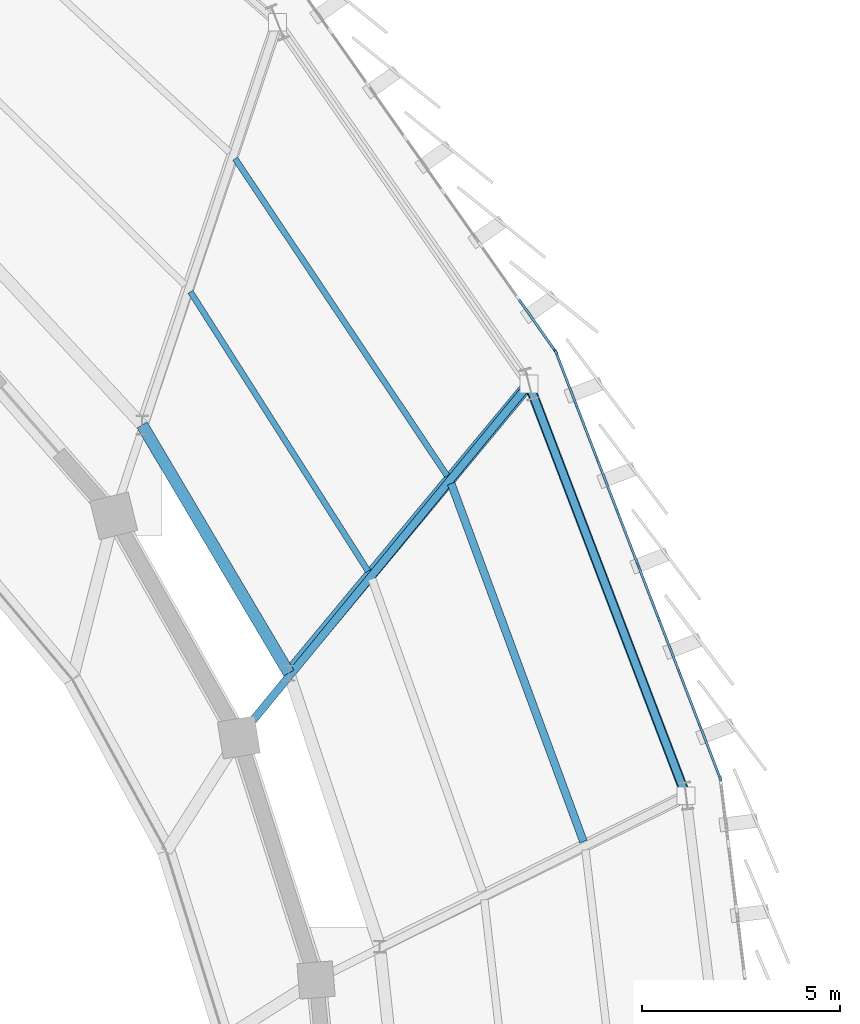
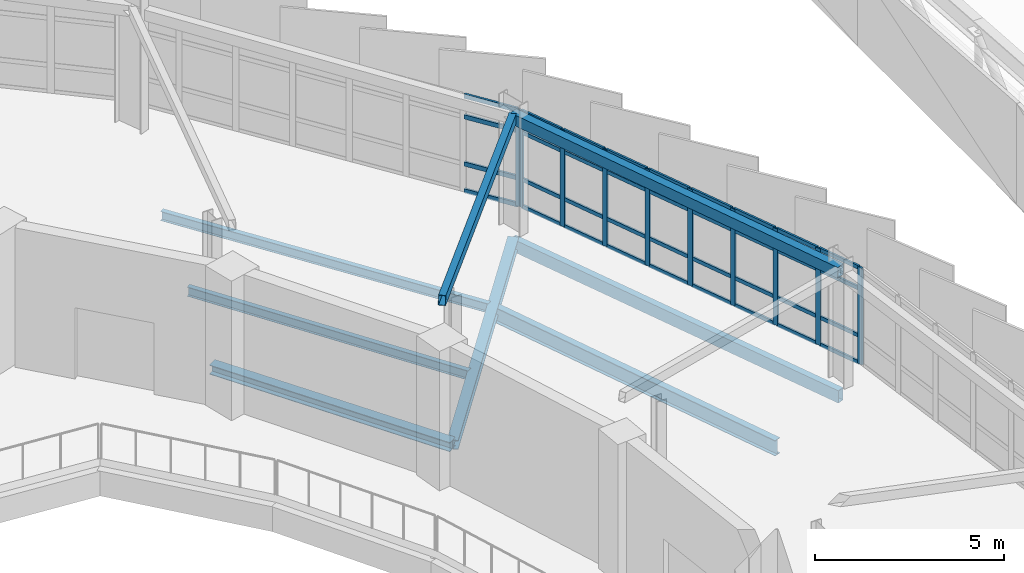
# One storey, part 46 of 87: 48 members, 6 beams, 2 elements without a shape of their own.
"""IFC4 building model written with IfcOpenShell, lengths in metres."""

import ifcopenshell
import ifcopenshell.guid

model = None  # the IFC model being written
_history = None  # IfcOwnerHistory: only IFC2X3 demands one
_inside = {}  # id of a spatial element -> (the spatial element, [elements in it])
_under = {}  # id of a project, library or spatial element -> (it, [spatial elements below it])
_declared = {}  # id of a project -> (the project, [libraries it declares])
_typed = {}  # id of a type object -> (the type object, [elements of that type])
_made_of = {}  # id of a material, layer set ... -> (it, [elements and type objects made of it])


def new_model(schema):
    """Start an empty IFC model of exactly this schema.

    Asked for "IFC4X3", IfcOpenShell would pick the latest addendum, in which some entities
    have other attributes; the version numbers below select the first issue.
    IFC2X3 requires an IfcOwnerHistory on every rooted entity: one is made here for all.
    """
    global model, _history
    if schema == "IFC4X3":
        model = ifcopenshell.file(schema_version=(4, 3, 0, 0))
    else:
        model = ifcopenshell.file(schema=schema)
    _inside.clear()
    _under.clear()
    _declared.clear()
    _typed.clear()
    _made_of.clear()
    _history = None
    if model.schema == "IFC2X3":
        org = make("IfcOrganization", Name="unknown")
        user = make(
            "IfcPersonAndOrganization",
            ThePerson=make("IfcPerson", FamilyName="unknown"),
            TheOrganization=org,
        )
        app = make(
            "IfcApplication",
            ApplicationDeveloper=org,
            Version="unknown",
            ApplicationFullName="unknown",
            ApplicationIdentifier="unknown",
        )
        _history = make(
            "IfcOwnerHistory",
            OwningUser=user,
            OwningApplication=app,
            ChangeAction="ADDED",
            CreationDate=0,
        )
    return model


def make(cls, **values):
    """One entity of the class cls with the attributes given. An attribute that is None is left unset."""
    return model.create_entity(
        cls, **{name: value for name, value in values.items() if value is not None}
    )


def rooted(cls, **values):
    """An entity with a GlobalId (a new one), such as an element, a storey or a relation."""
    return make(cls, GlobalId=ifcopenshell.guid.new(), OwnerHistory=_history, **values)


def si_unit(unit_type, name, prefix=None):
    """IfcSIUnit, for example si_unit("LENGTHUNIT", "METRE", prefix="MILLI")."""
    return make("IfcSIUnit", UnitType=unit_type, Prefix=prefix, Name=name)


def assignment(units):
    """IfcUnitAssignment: the units of a project."""
    return None if units is None else make("IfcUnitAssignment", Units=units)


def point(xyz):
    """IfcCartesianPoint."""
    return None if xyz is None else make("IfcCartesianPoint", Coordinates=xyz)


def direction(xyz):
    """IfcDirection."""
    return None if xyz is None else make("IfcDirection", DirectionRatios=xyz)


def frame(location, z_axis=None, x_axis=None):
    """IfcAxis2Placement3D, a coordinate frame: its origin and axes. An axis left out is left unset."""
    return make(
        "IfcAxis2Placement3D",
        Location=point(location),
        Axis=direction(z_axis),
        RefDirection=direction(x_axis),
    )


def frame_2d(location, x_axis=None):
    """IfcAxis2Placement2D, a coordinate frame in the plane: its origin and x axis."""
    return make(
        "IfcAxis2Placement2D", Location=point(location), RefDirection=direction(x_axis)
    )


def origin():
    """The frame at (0, 0, 0) with its axes left unset."""
    return frame((0.0, 0.0, 0.0))


def origin_2d():
    """The frame at (0, 0) in the plane with its x axis left unset."""
    return frame_2d((0.0, 0.0))


def place(relative_to, where):
    """IfcLocalPlacement: puts the frame where relative to a parent placement (None: the world)."""
    return make(
        "IfcLocalPlacement", PlacementRelTo=relative_to, RelativePlacement=where
    )


def context(
    kind, dimensions, precision=None, world=None, true_north=None, identifier=None
):
    """IfcGeometricRepresentationContext, for example the 3D "Model" context."""
    return make(
        "IfcGeometricRepresentationContext",
        ContextIdentifier=identifier,
        ContextType=kind,
        CoordinateSpaceDimension=dimensions,
        Precision=precision,
        WorldCoordinateSystem=world,
        TrueNorth=true_north,
    )


def subcontext(parent, identifier, kind, view, scale=None):
    """IfcGeometricRepresentationSubContext, for example "Body" below "Model"."""
    return make(
        "IfcGeometricRepresentationSubContext",
        ContextIdentifier=identifier,
        ContextType=kind,
        ParentContext=parent,
        TargetScale=scale,
        TargetView=view,
    )


def project(units=None, contexts=None):
    """IfcProject with its units and contexts."""
    return rooted(
        "IfcProject",
        Name="project",
        RepresentationContexts=contexts,
        UnitsInContext=assignment(units),
    )


def spatial(cls, under=None, at=None, **own):
    """A site, building, storey or space (cls), placed at a placement, below another one or the project."""
    s = rooted(cls, ObjectPlacement=at, **own)
    if under is not None:
        _under.setdefault(under.id(), (under, []))[1].append(s)
    return s


def profile(cls, at=None, kind="AREA", **sizes):
    """A parametric profile (cls). Its sizes go by their IFC names, for example OverallWidth=200.0."""
    return make(cls, ProfileType=kind, Position=at, **sizes)


def rectangle(**sizes):
    """IfcRectangleProfileDef."""
    return profile("IfcRectangleProfileDef", **sizes)


def hollow_rectangle(**sizes):
    """IfcRectangleHollowProfileDef."""
    return profile("IfcRectangleHollowProfileDef", **sizes)


def i_section(**sizes):
    """IfcIShapeProfileDef."""
    return profile("IfcIShapeProfileDef", **sizes)


def extrude(swept, where, along, depth):
    """IfcExtrudedAreaSolid: the profile swept, set in the frame where, extruded along a direction by depth."""
    return make(
        "IfcExtrudedAreaSolid",
        SweptArea=swept,
        Position=where,
        ExtrudedDirection=direction(along),
        Depth=depth,
    )


def shape(context_of_items, identifier, shape_type, items):
    """IfcShapeRepresentation: the items that make up one representation, for example the "Body"."""
    return make(
        "IfcShapeRepresentation",
        ContextOfItems=context_of_items,
        RepresentationIdentifier=identifier,
        RepresentationType=shape_type,
        Items=items,
    )


def material(Name=None, Category=None):
    """IfcMaterial."""
    return make("IfcMaterial", Name=Name, Category=Category)


def layer(
    of_material, thickness, ventilated=None, Name=None, Category=None, Priority=None
):
    """IfcMaterialLayer: one layer of a wall or slab, of a material (None: an air gap)."""
    return make(
        "IfcMaterialLayer",
        Material=of_material,
        LayerThickness=thickness,
        IsVentilated=ventilated,
        Name=Name,
        Category=Category,
        Priority=Priority,
    )


def layer_set(layers, Name=None):
    """IfcMaterialLayerSet."""
    return make("IfcMaterialLayerSet", MaterialLayers=layers, LayerSetName=Name)


def material_profile(
    of_material, cross_section, Name=None, Category=None, Priority=None
):
    """IfcMaterialProfile: a cross section and its material."""
    return make(
        "IfcMaterialProfile",
        Name=Name,
        Material=of_material,
        Profile=cross_section,
        Priority=Priority,
        Category=Category,
    )


def profile_set(profiles, Name=None, composite=None):
    """IfcMaterialProfileSet."""
    return make(
        "IfcMaterialProfileSet",
        Name=Name,
        MaterialProfiles=profiles,
        CompositeProfile=composite,
    )


def made_of(thing, what):
    """Note that an element or type object is made of a material, layer set ...; save() writes the relation."""
    if what is not None:
        _made_of.setdefault(what.id(), (what, []))[1].append(thing)
    return thing


def type_object(cls, material=None, **own):
    """A type object (cls), such as IfcWallType, which elements share."""
    return made_of(rooted(cls, **own), material)


def element(
    cls,
    number,
    at=None,
    inside=None,
    cuts=None,
    type_object=None,
    material=None,
    context=None,
    identifier="Body",
    shape_type=None,
    held_by="IfcProductDefinitionShape",
    body=None,
    shapes=None,
    **own,
):
    """One element of the class cls, such as IfcWall. Its Tag is "e" and its number.

    at: its placement. inside: the storey or other place that contains it. cuts: it is an
    opening in that element (IfcRelVoidsElement). A single representation is given by context,
    identifier, shape_type and body (its items); several are given by shapes. held_by: the class
    of the entity that holds the representations. save() writes the other relations.
    """
    e = rooted(cls, Tag="e%d" % number, ObjectPlacement=at, **own)
    if body is not None:
        shapes = [shape(context, identifier, shape_type, body)]
    if shapes is not None:
        e.Representation = make(held_by, Representations=shapes)
    if inside is not None:
        _inside.setdefault(inside.id(), (inside, []))[1].append(e)
    if cuts is not None:
        rooted(
            "IfcRelVoidsElement", RelatingBuildingElement=cuts, RelatedOpeningElement=e
        )
    if type_object is not None:
        _typed.setdefault(type_object.id(), (type_object, []))[1].append(e)
    return made_of(e, material)


def aggregate(whole, parts):
    """IfcRelAggregates: a whole, such as a stair, and the parts it consists of."""
    return rooted("IfcRelAggregates", RelatingObject=whole, RelatedObjects=parts)


def save(model, path):
    """Write the relations noted so far, then the file.

    IfcRelAggregates (storeys below a building ...), IfcRelContainedInSpatialStructure (elements
    in a storey), IfcRelDefinesByType, IfcRelAssociatesMaterial and IfcRelDeclares: one each for
    every whole, place, type object, material and project.
    """
    for whole, parts in _under.values():
        aggregate(whole, parts)
    for where, things in _inside.values():
        rooted(
            "IfcRelContainedInSpatialStructure",
            RelatedElements=things,
            RelatingStructure=where,
        )
    for kind, things in _typed.values():
        rooted("IfcRelDefinesByType", RelatedObjects=things, RelatingType=kind)
    for what, things in _made_of.values():
        rooted("IfcRelAssociatesMaterial", RelatedObjects=things, RelatingMaterial=what)
    for by, libraries in _declared.values():
        rooted("IfcRelDeclares", RelatingContext=by, RelatedDefinitions=libraries)
    model.write(path)


model = new_model("IFC4")

# Units and contexts
model_context = context("Model", 3, precision=1e-05, world=origin(), true_north=direction((0.0, 1.0)))
body_context = subcontext(model_context, "Body", "Model", "MODEL_VIEW")
ifc_project = project(units=[si_unit("LENGTHUNIT", "METRE"), si_unit("AREAUNIT", "SQUARE_METRE"), si_unit("VOLUMEUNIT", "CUBIC_METRE"), si_unit("PLANEANGLEUNIT", "RADIAN"), si_unit("MASSUNIT", "GRAM", prefix="KILO")], contexts=[model_context])

# Site, building, storey
site_placement = place(None, origin())
site = spatial("IfcSite", under=ifc_project, at=site_placement, CompositionType="ELEMENT")
building_placement = place(site_placement, origin())
building = spatial("IfcBuilding", under=site, at=building_placement, Name="Sohan Crest Arena", CompositionType="ELEMENT")
storey_placement = place(building_placement, frame((0.0, 0.0, 18.0)))
storey = spatial("IfcBuildingStorey", under=building, at=storey_placement, Name="L04", CompositionType="ELEMENT", Elevation=18.0)

# Curtain wall, members
ifc_material_1 = material(Name="Thermally broken anodised aluminium", Category="aluminium")
ifc_layer_1 = layer(ifc_material_1, 0.179931640625, Name="Thermally broken anodised aluminium")
ifc_layer_set_1 = layer_set([ifc_layer_1], Name="Thermally broken anodised aluminium")
curtain_wall_type_1 = type_object("IfcCurtainWallType", Name="ARC-CW01", PredefinedType="NOTDEFINED", material=ifc_layer_set_1)
curtain_wall_1_placement = place(storey_placement, origin())
curtain_wall_1 = element("IfcCurtainWall", 1, at=curtain_wall_1_placement, inside=storey, type_object=curtain_wall_type_1, Name="Unitised curtain wall CW-136", PredefinedType="NOTDEFINED")
ifc_material_profile_1 = material_profile(ifc_material_1, rectangle(XDim=0.06005859375, YDim=0.159912109375, at=origin_2d()), Name="ALU-MULL 60x160")
ifc_profile_set_1 = profile_set([ifc_material_profile_1], Name="Thermally broken anodised aluminium")
member_type_1 = type_object("IfcMemberType", Name="ARC-CW-ML01", PredefinedType="MULLION", material=ifc_profile_set_1)
member_1_placement = place(storey_placement, frame((187.586181640625, 89.52392578125, 0.0), z_axis=(0.0, 0.0, 1.0), x_axis=(-0.933093964969, -0.359632663337, 0.0)))
member_1 = element("IfcMember", 2, at=member_1_placement, type_object=member_type_1, Name="CW-136 mullion 1", PredefinedType="MULLION", context=body_context, shape_type="SweptSolid", body=[
    extrude(rectangle(XDim=0.06005859375, YDim=0.159912109375, at=origin_2d()), origin(), (0.0, 0.0, 1.0), 3.1201171875),
])
member_2_placement = place(storey_placement, frame((187.076171875, 90.84716796875, 0.0), z_axis=(0.0, 0.0, 1.0), x_axis=(-0.933093964969, -0.359632663337, 0.0)))
member_2 = element("IfcMember", 3, at=member_2_placement, type_object=member_type_1, Name="CW-136 mullion 2", PredefinedType="MULLION", context=body_context, shape_type="SweptSolid", body=[
    extrude(rectangle(XDim=0.06005859375, YDim=0.159912109375, at=origin_2d()), origin(), (0.0, 0.0, 1.0), 3.1201171875),
])
member_3_placement = place(storey_placement, frame((186.555419921875, 92.1982421875, 0.0), z_axis=(0.0, 0.0, 1.0), x_axis=(-0.933093964969, -0.359632663337, 0.0)))
member_3 = element("IfcMember", 4, at=member_3_placement, type_object=member_type_1, Name="CW-136 mullion 3", PredefinedType="MULLION", context=body_context, shape_type="SweptSolid", body=[
    extrude(rectangle(XDim=0.06005859375, YDim=0.159912109375, at=origin_2d()), origin(), (0.0, 0.0, 1.0), 3.1201171875),
])
member_4_placement = place(storey_placement, frame((186.03466796875, 93.54931640625, 0.0), z_axis=(0.0, 0.0, 1.0), x_axis=(-0.933093964969, -0.359632663337, 0.0)))
member_4 = element("IfcMember", 5, at=member_4_placement, type_object=member_type_1, Name="CW-136 mullion 4", PredefinedType="MULLION", context=body_context, shape_type="SweptSolid", body=[
    extrude(rectangle(XDim=0.06005859375, YDim=0.159912109375, at=origin_2d()), origin(), (0.0, 0.0, 1.0), 3.1201171875),
])
member_5_placement = place(storey_placement, frame((185.513916015625, 94.900390625, 0.0), z_axis=(0.0, 0.0, 1.0), x_axis=(-0.933093964969, -0.359632663337, 0.0)))
member_5 = element("IfcMember", 6, at=member_5_placement, type_object=member_type_1, Name="CW-136 mullion 5", PredefinedType="MULLION", context=body_context, shape_type="SweptSolid", body=[
    extrude(rectangle(XDim=0.06005859375, YDim=0.159912109375, at=origin_2d()), origin(), (0.0, 0.0, 1.0), 3.1201171875),
])
member_6_placement = place(storey_placement, frame((184.9931640625, 96.251708984375, 0.0), z_axis=(0.0, 0.0, 1.0), x_axis=(-0.933093964969, -0.359632663337, 0.0)))
member_6 = element("IfcMember", 7, at=member_6_placement, type_object=member_type_1, Name="CW-136 mullion 6", PredefinedType="MULLION", context=body_context, shape_type="SweptSolid", body=[
    extrude(rectangle(XDim=0.06005859375, YDim=0.159912109375, at=origin_2d()), origin(), (0.0, 0.0, 1.0), 3.1201171875),
])
member_7_placement = place(storey_placement, frame((184.472412109375, 97.602783203125, 0.0), z_axis=(0.0, 0.0, 1.0), x_axis=(-0.933093964969, -0.359632663337, 0.0)))
member_7 = element("IfcMember", 8, at=member_7_placement, type_object=member_type_1, Name="CW-136 mullion 7", PredefinedType="MULLION", context=body_context, shape_type="SweptSolid", body=[
    extrude(rectangle(XDim=0.06005859375, YDim=0.159912109375, at=origin_2d()), origin(), (0.0, 0.0, 1.0), 3.1201171875),
])
member_8_placement = place(storey_placement, frame((183.95166015625, 98.953857421875, 0.0), z_axis=(0.0, 0.0, 1.0), x_axis=(-0.933093964969, -0.359632663337, 0.0)))
member_8 = element("IfcMember", 9, at=member_8_placement, type_object=member_type_1, Name="CW-136 mullion 8", PredefinedType="MULLION", context=body_context, shape_type="SweptSolid", body=[
    extrude(rectangle(XDim=0.06005859375, YDim=0.159912109375, at=origin_2d()), origin(), (0.0, 0.0, 1.0), 3.1201171875),
])
member_9_placement = place(storey_placement, frame((183.44189453125, 100.277099609375, 0.0), z_axis=(0.0, 0.0, 1.0), x_axis=(-0.933093964969, -0.359632663337, 0.0)))
member_9 = element("IfcMember", 10, at=member_9_placement, type_object=member_type_1, Name="CW-136 mullion 9", PredefinedType="MULLION", context=body_context, shape_type="SweptSolid", body=[
    extrude(rectangle(XDim=0.06005859375, YDim=0.159912109375, at=origin_2d()), origin(), (0.0, 0.0, 1.0), 3.1201171875),
])

# Curtain wall, member
ifc_layer_2 = layer(ifc_material_1, 0.199951171875, Name="Thermally broken anodised aluminium")
ifc_layer_set_2 = layer_set([ifc_layer_2], Name="Thermally broken anodised aluminium")
curtain_wall_type_2 = type_object("IfcCurtainWallType", Name="ARC-CW02", PredefinedType="NOTDEFINED", material=ifc_layer_set_2)
curtain_wall_2_placement = place(storey_placement, origin())
curtain_wall_2 = element("IfcCurtainWall", 11, at=curtain_wall_2_placement, inside=storey, type_object=curtain_wall_type_2, Name="Unitised curtain wall CW-137", PredefinedType="NOTDEFINED")
ifc_material_profile_2 = material_profile(ifc_material_1, rectangle(XDim=0.06494140625, YDim=0.179931640625, at=origin_2d()), Name="ALU-MULL 65x180")
ifc_profile_set_2 = profile_set([ifc_material_profile_2], Name="Thermally broken anodised aluminium")
member_type_2 = type_object("IfcMemberType", Name="ARC-CW-ML02", PredefinedType="MULLION", material=ifc_profile_set_2)
member_10_placement = place(storey_placement, frame((183.412353515625, 100.33154296875, 0.0), z_axis=(0.0, 0.0, 1.0), x_axis=(-0.817854574128, -0.575424969546, 0.0)))
member_10 = element("IfcMember", 12, at=member_10_placement, type_object=member_type_2, Name="CW-137 mullion 1", PredefinedType="MULLION", context=body_context, shape_type="SweptSolid", body=[
    extrude(rectangle(XDim=0.06494140625, YDim=0.179931640625, at=origin_2d()), origin(), (0.0, 0.0, 1.0), 3.1201171875),
])

# Member
ifc_material_profile_3 = material_profile(ifc_material_1, rectangle(XDim=0.06005859375, YDim=0.1201171875, at=origin_2d()), Name="ALU-TRAN 60x120")
ifc_profile_set_3 = profile_set([ifc_material_profile_3], Name="Thermally broken anodised aluminium")
member_type_3 = type_object("IfcMemberType", Name="ARC-CW-TR01", PredefinedType="USERDEFINED", material=ifc_profile_set_3)
member_11_placement = place(storey_placement, frame((187.575439453125, 89.552001953125, 0.030029296875), z_axis=(-0.359581396056, 0.933113722764, 0.0), x_axis=(-0.933113722764, -0.359581396056, 0.0)))
member_11 = element("IfcMember", 13, at=member_11_placement, type_object=member_type_3, Name="CW-136 transom 1.1", ObjectType="TRANSOM", PredefinedType="USERDEFINED", context=body_context, shape_type="SweptSolid", body=[
    extrude(rectangle(XDim=0.06005859375, YDim=0.1201171875, at=origin_2d()), origin(), (0.0, 0.0, 1.0), 1.35791015625),
])

member_12_placement = place(storey_placement, frame((187.575439453125, 89.552001953125, 0.89990234375), z_axis=(-0.359581396056, 0.933113722764, 0.0), x_axis=(-0.933113722764, -0.359581396056, 0.0)))
member_12 = element("IfcMember", 14, at=member_12_placement, type_object=member_type_3, Name="CW-136 transom 1.2", ObjectType="TRANSOM", PredefinedType="USERDEFINED", context=body_context, shape_type="SweptSolid", body=[
    extrude(rectangle(XDim=0.06005859375, YDim=0.1201171875, at=origin_2d()), origin(), (0.0, 0.0, 1.0), 1.35791015625),
])

member_13_placement = place(storey_placement, frame((187.575439453125, 89.552001953125, 2.419921875), z_axis=(-0.359581396056, 0.933113722764, 0.0), x_axis=(-0.933113722764, -0.359581396056, 0.0)))
member_13 = element("IfcMember", 15, at=member_13_placement, type_object=member_type_3, Name="CW-136 transom 1.3", ObjectType="TRANSOM", PredefinedType="USERDEFINED", context=body_context, shape_type="SweptSolid", body=[
    extrude(rectangle(XDim=0.06005859375, YDim=0.1201171875, at=origin_2d()), origin(), (0.0, 0.0, 1.0), 1.35791015625),
])

member_14_placement = place(storey_placement, frame((187.575439453125, 89.552001953125, 3.090087890625), z_axis=(-0.359581396056, 0.933113722764, 0.0), x_axis=(-0.933113722764, -0.359581396056, 0.0)))
member_14 = element("IfcMember", 16, at=member_14_placement, type_object=member_type_3, Name="CW-136 transom 1.4", ObjectType="TRANSOM", PredefinedType="USERDEFINED", context=body_context, shape_type="SweptSolid", body=[
    extrude(rectangle(XDim=0.06005859375, YDim=0.1201171875, at=origin_2d()), origin(), (0.0, 0.0, 1.0), 1.35791015625),
])

member_15_placement = place(storey_placement, frame((187.0654296875, 90.875, 0.030029296875), z_axis=(-0.359533000236, 0.933132370964, 0.0), x_axis=(-0.933132370964, -0.359533000236, 0.0)))
member_15 = element("IfcMember", 17, at=member_15_placement, type_object=member_type_3, Name="CW-136 transom 2.1", ObjectType="TRANSOM", PredefinedType="USERDEFINED", context=body_context, shape_type="SweptSolid", body=[
    extrude(rectangle(XDim=0.06005859375, YDim=0.1201171875, at=origin_2d()), origin(), (0.0, 0.0, 1.0), 1.387939453125),
])

member_16_placement = place(storey_placement, frame((187.0654296875, 90.875, 0.89990234375), z_axis=(-0.359533000236, 0.933132370964, 0.0), x_axis=(-0.933132370964, -0.359533000236, 0.0)))
member_16 = element("IfcMember", 18, at=member_16_placement, type_object=member_type_3, Name="CW-136 transom 2.2", ObjectType="TRANSOM", PredefinedType="USERDEFINED", context=body_context, shape_type="SweptSolid", body=[
    extrude(rectangle(XDim=0.06005859375, YDim=0.1201171875, at=origin_2d()), origin(), (0.0, 0.0, 1.0), 1.387939453125),
])

member_17_placement = place(storey_placement, frame((187.0654296875, 90.875, 2.419921875), z_axis=(-0.359533000236, 0.933132370964, 0.0), x_axis=(-0.933132370964, -0.359533000236, 0.0)))
member_17 = element("IfcMember", 19, at=member_17_placement, type_object=member_type_3, Name="CW-136 transom 2.3", ObjectType="TRANSOM", PredefinedType="USERDEFINED", context=body_context, shape_type="SweptSolid", body=[
    extrude(rectangle(XDim=0.06005859375, YDim=0.1201171875, at=origin_2d()), origin(), (0.0, 0.0, 1.0), 1.387939453125),
])

member_18_placement = place(storey_placement, frame((187.0654296875, 90.875, 3.090087890625), z_axis=(-0.359533000236, 0.933132370964, 0.0), x_axis=(-0.933132370964, -0.359533000236, 0.0)))
member_18 = element("IfcMember", 20, at=member_18_placement, type_object=member_type_3, Name="CW-136 transom 2.4", ObjectType="TRANSOM", PredefinedType="USERDEFINED", context=body_context, shape_type="SweptSolid", body=[
    extrude(rectangle(XDim=0.06005859375, YDim=0.1201171875, at=origin_2d()), origin(), (0.0, 0.0, 1.0), 1.387939453125),
])

member_19_placement = place(storey_placement, frame((186.544677734375, 92.226318359375, 0.030029296875), z_axis=(-0.359533000236, 0.933132370964, 0.0), x_axis=(-0.933132370964, -0.359533000236, 0.0)))
member_19 = element("IfcMember", 21, at=member_19_placement, type_object=member_type_3, Name="CW-136 transom 3.1", ObjectType="TRANSOM", PredefinedType="USERDEFINED", context=body_context, shape_type="SweptSolid", body=[
    extrude(rectangle(XDim=0.06005859375, YDim=0.1201171875, at=origin_2d()), origin(), (0.0, 0.0, 1.0), 1.387939453125),
])

member_20_placement = place(storey_placement, frame((186.544677734375, 92.226318359375, 0.89990234375), z_axis=(-0.359533000236, 0.933132370964, 0.0), x_axis=(-0.933132370964, -0.359533000236, 0.0)))
member_20 = element("IfcMember", 22, at=member_20_placement, type_object=member_type_3, Name="CW-136 transom 3.2", ObjectType="TRANSOM", PredefinedType="USERDEFINED", context=body_context, shape_type="SweptSolid", body=[
    extrude(rectangle(XDim=0.06005859375, YDim=0.1201171875, at=origin_2d()), origin(), (0.0, 0.0, 1.0), 1.387939453125),
])

member_21_placement = place(storey_placement, frame((186.544677734375, 92.226318359375, 2.419921875), z_axis=(-0.359533000236, 0.933132370964, 0.0), x_axis=(-0.933132370964, -0.359533000236, 0.0)))
member_21 = element("IfcMember", 23, at=member_21_placement, type_object=member_type_3, Name="CW-136 transom 3.3", ObjectType="TRANSOM", PredefinedType="USERDEFINED", context=body_context, shape_type="SweptSolid", body=[
    extrude(rectangle(XDim=0.06005859375, YDim=0.1201171875, at=origin_2d()), origin(), (0.0, 0.0, 1.0), 1.387939453125),
])

member_22_placement = place(storey_placement, frame((186.544677734375, 92.226318359375, 3.090087890625), z_axis=(-0.359533000236, 0.933132370964, 0.0), x_axis=(-0.933132370964, -0.359533000236, 0.0)))
member_22 = element("IfcMember", 24, at=member_22_placement, type_object=member_type_3, Name="CW-136 transom 3.4", ObjectType="TRANSOM", PredefinedType="USERDEFINED", context=body_context, shape_type="SweptSolid", body=[
    extrude(rectangle(XDim=0.06005859375, YDim=0.1201171875, at=origin_2d()), origin(), (0.0, 0.0, 1.0), 1.387939453125),
])

member_23_placement = place(storey_placement, frame((186.02392578125, 93.577392578125, 0.030029296875), z_axis=(-0.359533000236, 0.933132370964, 0.0), x_axis=(-0.933132370964, -0.359533000236, 0.0)))
member_23 = element("IfcMember", 25, at=member_23_placement, type_object=member_type_3, Name="CW-136 transom 4.1", ObjectType="TRANSOM", PredefinedType="USERDEFINED", context=body_context, shape_type="SweptSolid", body=[
    extrude(rectangle(XDim=0.06005859375, YDim=0.1201171875, at=origin_2d()), origin(), (0.0, 0.0, 1.0), 1.387939453125),
])

member_24_placement = place(storey_placement, frame((186.02392578125, 93.577392578125, 0.89990234375), z_axis=(-0.359533000236, 0.933132370964, 0.0), x_axis=(-0.933132370964, -0.359533000236, 0.0)))
member_24 = element("IfcMember", 26, at=member_24_placement, type_object=member_type_3, Name="CW-136 transom 4.2", ObjectType="TRANSOM", PredefinedType="USERDEFINED", context=body_context, shape_type="SweptSolid", body=[
    extrude(rectangle(XDim=0.06005859375, YDim=0.1201171875, at=origin_2d()), origin(), (0.0, 0.0, 1.0), 1.387939453125),
])

member_25_placement = place(storey_placement, frame((186.02392578125, 93.577392578125, 2.419921875), z_axis=(-0.359533000236, 0.933132370964, 0.0), x_axis=(-0.933132370964, -0.359533000236, 0.0)))
member_25 = element("IfcMember", 27, at=member_25_placement, type_object=member_type_3, Name="CW-136 transom 4.3", ObjectType="TRANSOM", PredefinedType="USERDEFINED", context=body_context, shape_type="SweptSolid", body=[
    extrude(rectangle(XDim=0.06005859375, YDim=0.1201171875, at=origin_2d()), origin(), (0.0, 0.0, 1.0), 1.387939453125),
])

member_26_placement = place(storey_placement, frame((186.02392578125, 93.577392578125, 3.090087890625), z_axis=(-0.359533000236, 0.933132370964, 0.0), x_axis=(-0.933132370964, -0.359533000236, 0.0)))
member_26 = element("IfcMember", 28, at=member_26_placement, type_object=member_type_3, Name="CW-136 transom 4.4", ObjectType="TRANSOM", PredefinedType="USERDEFINED", context=body_context, shape_type="SweptSolid", body=[
    extrude(rectangle(XDim=0.06005859375, YDim=0.1201171875, at=origin_2d()), origin(), (0.0, 0.0, 1.0), 1.387939453125),
])

member_27_placement = place(storey_placement, frame((185.503173828125, 94.928466796875, 0.030029296875), z_axis=(-0.359533000236, 0.933132370964, 0.0), x_axis=(-0.933132370964, -0.359533000236, 0.0)))
member_27 = element("IfcMember", 29, at=member_27_placement, type_object=member_type_3, Name="CW-136 transom 5.1", ObjectType="TRANSOM", PredefinedType="USERDEFINED", context=body_context, shape_type="SweptSolid", body=[
    extrude(rectangle(XDim=0.06005859375, YDim=0.1201171875, at=origin_2d()), origin(), (0.0, 0.0, 1.0), 1.387939453125),
])

member_28_placement = place(storey_placement, frame((185.503173828125, 94.928466796875, 0.89990234375), z_axis=(-0.359533000236, 0.933132370964, 0.0), x_axis=(-0.933132370964, -0.359533000236, 0.0)))
member_28 = element("IfcMember", 30, at=member_28_placement, type_object=member_type_3, Name="CW-136 transom 5.2", ObjectType="TRANSOM", PredefinedType="USERDEFINED", context=body_context, shape_type="SweptSolid", body=[
    extrude(rectangle(XDim=0.06005859375, YDim=0.1201171875, at=origin_2d()), origin(), (0.0, 0.0, 1.0), 1.387939453125),
])

member_29_placement = place(storey_placement, frame((185.503173828125, 94.928466796875, 2.419921875), z_axis=(-0.359533000236, 0.933132370964, 0.0), x_axis=(-0.933132370964, -0.359533000236, 0.0)))
member_29 = element("IfcMember", 31, at=member_29_placement, type_object=member_type_3, Name="CW-136 transom 5.3", ObjectType="TRANSOM", PredefinedType="USERDEFINED", context=body_context, shape_type="SweptSolid", body=[
    extrude(rectangle(XDim=0.06005859375, YDim=0.1201171875, at=origin_2d()), origin(), (0.0, 0.0, 1.0), 1.387939453125),
])

member_30_placement = place(storey_placement, frame((185.503173828125, 94.928466796875, 3.090087890625), z_axis=(-0.359533000236, 0.933132370964, 0.0), x_axis=(-0.933132370964, -0.359533000236, 0.0)))
member_30 = element("IfcMember", 32, at=member_30_placement, type_object=member_type_3, Name="CW-136 transom 5.4", ObjectType="TRANSOM", PredefinedType="USERDEFINED", context=body_context, shape_type="SweptSolid", body=[
    extrude(rectangle(XDim=0.06005859375, YDim=0.1201171875, at=origin_2d()), origin(), (0.0, 0.0, 1.0), 1.387939453125),
])

member_31_placement = place(storey_placement, frame((184.982421875, 96.279541015625, 0.030029296875), z_axis=(-0.359533000236, 0.933132370964, 0.0), x_axis=(-0.933132370964, -0.359533000236, 0.0)))
member_31 = element("IfcMember", 33, at=member_31_placement, type_object=member_type_3, Name="CW-136 transom 6.1", ObjectType="TRANSOM", PredefinedType="USERDEFINED", context=body_context, shape_type="SweptSolid", body=[
    extrude(rectangle(XDim=0.06005859375, YDim=0.1201171875, at=origin_2d()), origin(), (0.0, 0.0, 1.0), 1.387939453125),
])

member_32_placement = place(storey_placement, frame((184.982421875, 96.279541015625, 0.89990234375), z_axis=(-0.359533000236, 0.933132370964, 0.0), x_axis=(-0.933132370964, -0.359533000236, 0.0)))
member_32 = element("IfcMember", 34, at=member_32_placement, type_object=member_type_3, Name="CW-136 transom 6.2", ObjectType="TRANSOM", PredefinedType="USERDEFINED", context=body_context, shape_type="SweptSolid", body=[
    extrude(rectangle(XDim=0.06005859375, YDim=0.1201171875, at=origin_2d()), origin(), (0.0, 0.0, 1.0), 1.387939453125),
])

member_33_placement = place(storey_placement, frame((184.982421875, 96.279541015625, 2.419921875), z_axis=(-0.359533000236, 0.933132370964, 0.0), x_axis=(-0.933132370964, -0.359533000236, 0.0)))
member_33 = element("IfcMember", 35, at=member_33_placement, type_object=member_type_3, Name="CW-136 transom 6.3", ObjectType="TRANSOM", PredefinedType="USERDEFINED", context=body_context, shape_type="SweptSolid", body=[
    extrude(rectangle(XDim=0.06005859375, YDim=0.1201171875, at=origin_2d()), origin(), (0.0, 0.0, 1.0), 1.387939453125),
])

member_34_placement = place(storey_placement, frame((184.982421875, 96.279541015625, 3.090087890625), z_axis=(-0.359533000236, 0.933132370964, 0.0), x_axis=(-0.933132370964, -0.359533000236, 0.0)))
member_34 = element("IfcMember", 36, at=member_34_placement, type_object=member_type_3, Name="CW-136 transom 6.4", ObjectType="TRANSOM", PredefinedType="USERDEFINED", context=body_context, shape_type="SweptSolid", body=[
    extrude(rectangle(XDim=0.06005859375, YDim=0.1201171875, at=origin_2d()), origin(), (0.0, 0.0, 1.0), 1.387939453125),
])

member_35_placement = place(storey_placement, frame((184.461669921875, 97.630859375, 0.030029296875), z_axis=(-0.359592021143, 0.933109628249, 0.0), x_axis=(-0.933109628249, -0.359592021143, 0.0)))
member_35 = element("IfcMember", 37, at=member_35_placement, type_object=member_type_3, Name="CW-136 transom 7.1", ObjectType="TRANSOM", PredefinedType="USERDEFINED", context=body_context, shape_type="SweptSolid", body=[
    extrude(rectangle(XDim=0.06005859375, YDim=0.1201171875, at=origin_2d()), origin(), (0.0, 0.0, 1.0), 1.3876953125),
])

member_36_placement = place(storey_placement, frame((184.461669921875, 97.630859375, 0.89990234375), z_axis=(-0.359592021143, 0.933109628249, 0.0), x_axis=(-0.933109628249, -0.359592021143, 0.0)))
member_36 = element("IfcMember", 38, at=member_36_placement, type_object=member_type_3, Name="CW-136 transom 7.2", ObjectType="TRANSOM", PredefinedType="USERDEFINED", context=body_context, shape_type="SweptSolid", body=[
    extrude(rectangle(XDim=0.06005859375, YDim=0.1201171875, at=origin_2d()), origin(), (0.0, 0.0, 1.0), 1.3876953125),
])

member_37_placement = place(storey_placement, frame((184.461669921875, 97.630859375, 2.419921875), z_axis=(-0.359592021143, 0.933109628249, 0.0), x_axis=(-0.933109628249, -0.359592021143, 0.0)))
member_37 = element("IfcMember", 39, at=member_37_placement, type_object=member_type_3, Name="CW-136 transom 7.3", ObjectType="TRANSOM", PredefinedType="USERDEFINED", context=body_context, shape_type="SweptSolid", body=[
    extrude(rectangle(XDim=0.06005859375, YDim=0.1201171875, at=origin_2d()), origin(), (0.0, 0.0, 1.0), 1.3876953125),
])

member_38_placement = place(storey_placement, frame((184.461669921875, 97.630859375, 3.090087890625), z_axis=(-0.359592021143, 0.933109628249, 0.0), x_axis=(-0.933109628249, -0.359592021143, 0.0)))
member_38 = element("IfcMember", 40, at=member_38_placement, type_object=member_type_3, Name="CW-136 transom 7.4", ObjectType="TRANSOM", PredefinedType="USERDEFINED", context=body_context, shape_type="SweptSolid", body=[
    extrude(rectangle(XDim=0.06005859375, YDim=0.1201171875, at=origin_2d()), origin(), (0.0, 0.0, 1.0), 1.3876953125),
])

member_39_placement = place(storey_placement, frame((183.94091796875, 98.98193359375, 0.030029296875), z_axis=(-0.359581396056, 0.933113722764, 0.0), x_axis=(-0.933113722764, -0.359581396056, 0.0)))
member_39 = element("IfcMember", 41, at=member_39_placement, type_object=member_type_3, Name="CW-136 transom 8.1", ObjectType="TRANSOM", PredefinedType="USERDEFINED", context=body_context, shape_type="SweptSolid", body=[
    extrude(rectangle(XDim=0.06005859375, YDim=0.1201171875, at=origin_2d()), origin(), (0.0, 0.0, 1.0), 1.35791015625),
])

member_40_placement = place(storey_placement, frame((183.94091796875, 98.98193359375, 0.89990234375), z_axis=(-0.359581396056, 0.933113722764, 0.0), x_axis=(-0.933113722764, -0.359581396056, 0.0)))
member_40 = element("IfcMember", 42, at=member_40_placement, type_object=member_type_3, Name="CW-136 transom 8.2", ObjectType="TRANSOM", PredefinedType="USERDEFINED", context=body_context, shape_type="SweptSolid", body=[
    extrude(rectangle(XDim=0.06005859375, YDim=0.1201171875, at=origin_2d()), origin(), (0.0, 0.0, 1.0), 1.35791015625),
])

member_41_placement = place(storey_placement, frame((183.94091796875, 98.98193359375, 2.419921875), z_axis=(-0.359581396056, 0.933113722764, 0.0), x_axis=(-0.933113722764, -0.359581396056, 0.0)))
member_41 = element("IfcMember", 43, at=member_41_placement, type_object=member_type_3, Name="CW-136 transom 8.3", ObjectType="TRANSOM", PredefinedType="USERDEFINED", context=body_context, shape_type="SweptSolid", body=[
    extrude(rectangle(XDim=0.06005859375, YDim=0.1201171875, at=origin_2d()), origin(), (0.0, 0.0, 1.0), 1.35791015625),
])

member_42_placement = place(storey_placement, frame((183.94091796875, 98.98193359375, 3.090087890625), z_axis=(-0.359581396056, 0.933113722764, 0.0), x_axis=(-0.933113722764, -0.359581396056, 0.0)))
member_42 = element("IfcMember", 44, at=member_42_placement, type_object=member_type_3, Name="CW-136 transom 8.4", ObjectType="TRANSOM", PredefinedType="USERDEFINED", context=body_context, shape_type="SweptSolid", body=[
    extrude(rectangle(XDim=0.06005859375, YDim=0.1201171875, at=origin_2d()), origin(), (0.0, 0.0, 1.0), 1.35791015625),
])

aggregate(curtain_wall_1, [member_1, member_2, member_3, member_4, member_5, member_6, member_7, member_8, member_9, member_11, member_12, member_13, member_14, member_15, member_16, member_17, member_18, member_19, member_20, member_21, member_22, member_23, member_24, member_25, member_26, member_27, member_28, member_29, member_30, member_31, member_32, member_33, member_34, member_35, member_36, member_37, member_38, member_39, member_40, member_41, member_42])

ifc_material_profile_4 = material_profile(ifc_material_1, rectangle(XDim=0.06494140625, YDim=0.139892578125, at=origin_2d()), Name="ALU-TRAN 65x140")
ifc_profile_set_4 = profile_set([ifc_material_profile_4], Name="Thermally broken anodised aluminium")
member_type_4 = type_object("IfcMemberType", Name="ARC-CW-TR02", PredefinedType="USERDEFINED", material=ifc_profile_set_4)
member_43_placement = place(storey_placement, frame((183.3935546875, 100.358154296875, 0.032470703125), z_axis=(-0.575439029992, 0.817844681319, 0.0), x_axis=(-0.817844681319, -0.575439029992, 0.0)))
member_43 = element("IfcMember", 45, at=member_43_placement, type_object=member_type_4, Name="CW-137 transom 1.1", ObjectType="TRANSOM", PredefinedType="USERDEFINED", context=body_context, shape_type="SweptSolid", body=[
    extrude(rectangle(XDim=0.06494140625, YDim=0.139892578125, at=origin_2d()), origin(), (0.0, 0.0, 1.0), 1.55712890625),
])

member_44_placement = place(storey_placement, frame((183.3935546875, 100.358154296875, 0.89990234375), z_axis=(-0.575439029992, 0.817844681319, 0.0), x_axis=(-0.817844681319, -0.575439029992, 0.0)))
member_44 = element("IfcMember", 46, at=member_44_placement, type_object=member_type_4, Name="CW-137 transom 1.2", ObjectType="TRANSOM", PredefinedType="USERDEFINED", context=body_context, shape_type="SweptSolid", body=[
    extrude(rectangle(XDim=0.06494140625, YDim=0.139892578125, at=origin_2d()), origin(), (0.0, 0.0, 1.0), 1.55712890625),
])

member_45_placement = place(storey_placement, frame((183.3935546875, 100.358154296875, 2.419921875), z_axis=(-0.575439029992, 0.817844681319, 0.0), x_axis=(-0.817844681319, -0.575439029992, 0.0)))
member_45 = element("IfcMember", 47, at=member_45_placement, type_object=member_type_4, Name="CW-137 transom 1.3", ObjectType="TRANSOM", PredefinedType="USERDEFINED", context=body_context, shape_type="SweptSolid", body=[
    extrude(rectangle(XDim=0.06494140625, YDim=0.139892578125, at=origin_2d()), origin(), (0.0, 0.0, 1.0), 1.55712890625),
])

member_46_placement = place(storey_placement, frame((183.3935546875, 100.358154296875, 3.08740234375), z_axis=(-0.575439029992, 0.817844681319, 0.0), x_axis=(-0.817844681319, -0.575439029992, 0.0)))
member_46 = element("IfcMember", 48, at=member_46_placement, type_object=member_type_4, Name="CW-137 transom 1.4", ObjectType="TRANSOM", PredefinedType="USERDEFINED", context=body_context, shape_type="SweptSolid", body=[
    extrude(rectangle(XDim=0.06494140625, YDim=0.139892578125, at=origin_2d()), origin(), (0.0, 0.0, 1.0), 1.55712890625),
])

aggregate(curtain_wall_2, [member_10, member_43, member_44, member_45, member_46])

# Beams
ifc_material_2 = material(Name="Steel S355", Category="steel")
ifc_material_profile_5 = material_profile(ifc_material_2, i_section(OverallWidth=0.14990234375, OverallDepth=0.300048828125, WebThickness=0.007080078125, FlangeThickness=0.0107421875, at=origin_2d()), Name="IPE 300")
ifc_profile_set_5 = profile_set([ifc_material_profile_5], Name="Steel S355")
beam_type_1 = type_object("IfcBeamType", Name="STR-BM-B01", PredefinedType="JOIST", material=ifc_profile_set_5)
beam_1_placement = place(storey_placement, frame((178.679931640625, 94.7548828125, -0.39990234375), z_axis=(-0.536679400997, 0.843786241027, 0.0), x_axis=(-0.843786241027, -0.536679400997, 0.0)))
element("IfcBeam", 49, at=beam_1_placement, inside=storey, type_object=beam_type_1, Name="Structural beam J-L04-1667", PredefinedType="JOIST", context=body_context, shape_type="SweptSolid", body=[
    extrude(i_section(OverallWidth=0.14990234375, OverallDepth=0.300048828125, WebThickness=0.007080078125, FlangeThickness=0.0107421875, at=origin_2d()), origin(), (0.0, 0.0, 1.0), 8.37890625),
])
beam_2_placement = place(storey_placement, frame((180.68310546875, 97.166015625, -0.39990234375), z_axis=(-0.556006645923, 0.831177844802, 0.0), x_axis=(-0.831177844802, -0.556006645923, 0.0)))
element("IfcBeam", 50, at=beam_2_placement, inside=storey, type_object=beam_type_1, Name="Structural beam J-L04-1668", PredefinedType="JOIST", context=body_context, shape_type="SweptSolid", body=[
    extrude(i_section(OverallWidth=0.14990234375, OverallDepth=0.300048828125, WebThickness=0.007080078125, FlangeThickness=0.0107421875, at=origin_2d()), origin(), (0.0, 0.0, 1.0), 9.65478515625),
])
ifc_material_profile_6 = material_profile(ifc_material_2, i_section(OverallWidth=0.199951171875, OverallDepth=0.5, WebThickness=0.01025390625, FlangeThickness=0.01611328125, at=origin_2d()), Name="IPE 500")
ifc_profile_set_6 = profile_set([ifc_material_profile_6], Name="Steel S355")
beam_type_2 = type_object("IfcBeamType", Name="STR-BM-B05", PredefinedType="JOIST", material=ifc_profile_set_6)
beam_3_placement = place(storey_placement, frame((184.12890625, 87.9130859375, -0.5), z_axis=(-0.346567455642, 0.938025052272, 0.0), x_axis=(-0.938025052272, -0.346567455642, 0.0)))
element("IfcBeam", 51, at=beam_3_placement, inside=storey, type_object=beam_type_2, Name="Structural beam J-L04-1663", PredefinedType="JOIST", context=body_context, shape_type="SweptSolid", body=[
    extrude(i_section(OverallWidth=0.199951171875, OverallDepth=0.5, WebThickness=0.01025390625, FlangeThickness=0.01611328125, at=origin_2d()), origin(), (0.0, 0.0, 1.0), 9.657470703125),
])
ifc_material_profile_7 = material_profile(ifc_material_2, i_section(OverallWidth=0.300048828125, OverallDepth=0.300048828125, WebThickness=0.010986328125, FlangeThickness=0.01904296875, at=origin_2d()), Name="HEB 300")
ifc_profile_set_7 = profile_set([ifc_material_profile_7], Name="Steel S355")
beam_type_3 = type_object("IfcBeamType", Name="STR-BM-B12", PredefinedType="BEAM", material=ifc_profile_set_7)
beam_4_placement = place(storey_placement, frame((176.674072265625, 92.175048828125, -0.39990234375), z_axis=(0.638940924568, 0.7692558059, 0.0), x_axis=(-0.7692558059, 0.638940924568, 0.0)))
element("IfcBeam", 52, at=beam_4_placement, inside=storey, type_object=beam_type_3, Name="Structural beam G-L04-1664", PredefinedType="BEAM", context=body_context, shape_type="SweptSolid", body=[
    extrude(i_section(OverallWidth=0.300048828125, OverallDepth=0.300048828125, WebThickness=0.010986328125, FlangeThickness=0.01904296875, at=origin_2d()), origin(), (0.0, 0.0, 1.0), 9.5078125),
])
beam_5_placement = place(storey_placement, frame((176.674072265625, 92.175048828125, -0.39990234375), z_axis=(-0.509085626747, 0.860715879161, 0.0), x_axis=(-0.860715879161, -0.509085626747, 0.0)))
element("IfcBeam", 53, at=beam_5_placement, inside=storey, type_object=beam_type_3, Name="Structural beam G-L04-1665", PredefinedType="BEAM", context=body_context, shape_type="SweptSolid", body=[
    extrude(i_section(OverallWidth=0.300048828125, OverallDepth=0.300048828125, WebThickness=0.010986328125, FlangeThickness=0.01904296875, at=origin_2d()), origin(), (0.0, 0.0, 1.0), 7.293701171875),
])
ifc_material_profile_8 = material_profile(ifc_material_2, hollow_rectangle(XDim=0.199951171875, YDim=0.39990234375, WallThickness=0.012451171875, at=origin_2d()), Name="RHS 400x200x12.5")
ifc_profile_set_8 = profile_set([ifc_material_profile_8], Name="Steel S355")
beam_type_4 = type_object("IfcBeamType", Name="STR-BM-SP05", PredefinedType="SPANDREL", material=ifc_profile_set_8)
beam_6_placement = place(storey_placement, frame((186.72509765625, 89.070068359375, -0.449951171875), z_axis=(-0.356539672716, 0.934280183767, 0.0), x_axis=(-0.934280183767, -0.356539672716, 0.0)))
element("IfcBeam", 54, at=beam_6_placement, inside=storey, type_object=beam_type_4, Name="Structural beam SP-L04-1661", PredefinedType="SPANDREL", context=body_context, shape_type="SweptSolid", body=[
    extrude(hollow_rectangle(XDim=0.199951171875, YDim=0.39990234375, WallThickness=0.012451171875, at=origin_2d()), origin(), (0.0, 0.0, 1.0), 11.15185546875),
])

# Members
ifc_material_profile_9 = material_profile(ifc_material_2, hollow_rectangle(XDim=0.199951171875, YDim=0.300048828125, WallThickness=0.010009765625, at=origin_2d()), Name="RHS 300x200x10")
ifc_profile_set_9 = profile_set([ifc_material_profile_9], Name="Steel S355")
member_type_5 = type_object("IfcMemberType", Name="STR-MEM-CH03", PredefinedType="CHORD", material=ifc_profile_set_9)
member_47_placement = place(storey_placement, frame((175.408935546875, 90.544921875, 5.68310546875), z_axis=(0.624656958209, 0.761161073141, -0.1744634784), x_axis=(-0.77301632557, 0.634386128791, 0.0)))
element("IfcMember", 55, at=member_47_placement, inside=storey, type_object=member_type_5, Name="Outer roof-edge radial tie chord ORT-26", PredefinedType="CHORD", context=body_context, shape_type="SweptSolid", body=[
    extrude(hollow_rectangle(XDim=0.199951171875, YDim=0.300048828125, WallThickness=0.010009765625, at=origin_2d()), origin(), (0.0, 0.0, 1.0), 11.75048828125),
])
ifc_material_profile_10 = material_profile(ifc_material_2, hollow_rectangle(XDim=0.25, YDim=0.35009765625, WallThickness=0.012451171875, at=origin_2d()), Name="RHS 350x250x12.5")
ifc_profile_set_10 = profile_set([ifc_material_profile_10], Name="Steel S355")
member_type_6 = type_object("IfcMemberType", Name="STR-MEM-CH04", PredefinedType="CHORD", material=ifc_profile_set_10)
member_48_placement = place(storey_placement, frame((186.72509765625, 89.070068359375, 3.56396484375), z_axis=(-0.356532830054, 0.934262253186, 0.006195431101), x_axis=(-0.934280183767, -0.356539672716, 0.0)))
element("IfcMember", 56, at=member_48_placement, inside=storey, type_object=member_type_6, Name="Outer roof-edge truss chord ORB-25", PredefinedType="CHORD", context=body_context, shape_type="SweptSolid", body=[
    extrude(hollow_rectangle(XDim=0.25, YDim=0.35009765625, WallThickness=0.012451171875, at=origin_2d()), origin(), (0.0, 0.0, 1.0), 11.152099609375),
])

save(model, "model.ifc")
